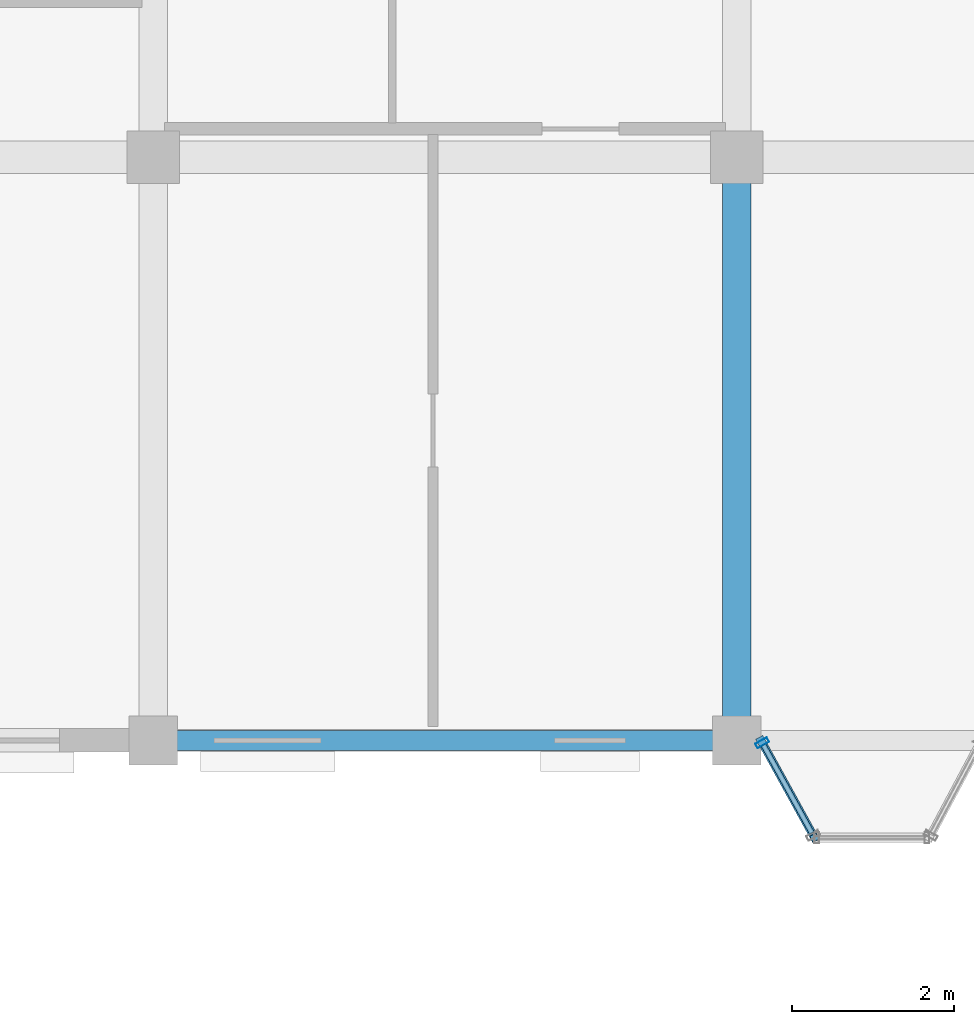
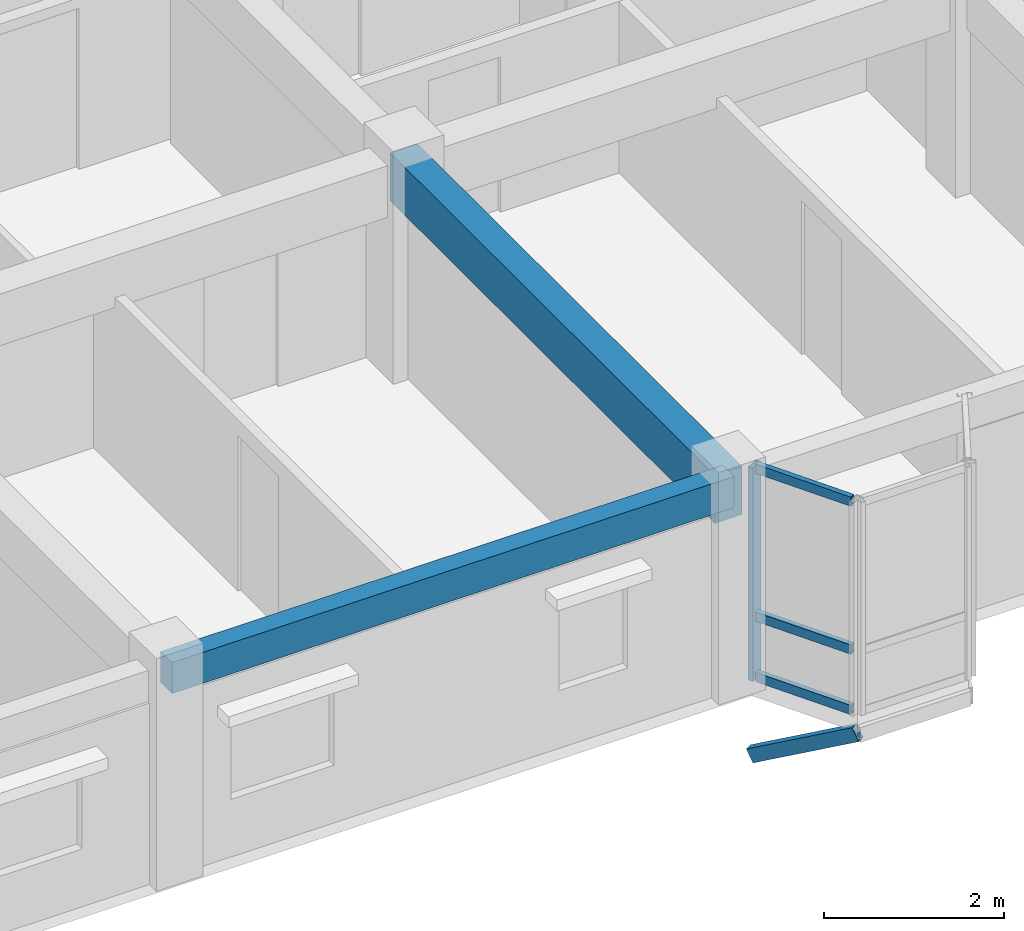
# One storey, part 60 of 124: 5 members, 2 beams, 1 element without a shape of its own.
"""IFC4 building model written with IfcOpenShell, lengths in metres."""

from ifc_helpers import new_model, si_unit, direction, frame, origin, origin_2d, place, context, subcontext, project, spatial, rectangle, hollow_rectangle, extrude, material, layer, layer_set, material_profile, profile_set, type_object, element, aggregate, save


model = new_model("IFC4")

# Units and contexts
model_context = context("Model", 3, precision=1e-05, world=origin(), true_north=direction((0.0, 1.0)))
body_context = subcontext(model_context, "Body", "Model", "MODEL_VIEW")
ifc_project = project(units=[si_unit("LENGTHUNIT", "METRE"), si_unit("AREAUNIT", "SQUARE_METRE"), si_unit("VOLUMEUNIT", "CUBIC_METRE"), si_unit("PLANEANGLEUNIT", "RADIAN"), si_unit("MASSUNIT", "GRAM", prefix="KILO"), si_unit("THERMODYNAMICTEMPERATUREUNIT", "KELVIN"), si_unit("POWERUNIT", "WATT")], contexts=[model_context])

# Site, building, storey
site_placement = place(None, origin())
site = spatial("IfcSite", under=ifc_project, at=site_placement, CompositionType="ELEMENT")
building_placement = place(site_placement, origin())
building = spatial("IfcBuilding", under=site, at=building_placement, Name="Tavuni Mirador Residences", CompositionType="ELEMENT")
storey_placement = place(building_placement, frame((0.0, 0.0, 7.64990234375)))
storey = spatial("IfcBuildingStorey", under=building, at=storey_placement, Name="L02", CompositionType="ELEMENT", Elevation=7.64990234375)

# Beams
ifc_material_1 = material(Name="Precast concrete C40/50", Category="concrete")
ifc_material_profile_1 = material_profile(ifc_material_1, rectangle(XDim=0.35009765625, YDim=0.64990234375, at=origin_2d()), Name="PC 350x650", Category="concrete")
ifc_profile_set_1 = profile_set([ifc_material_profile_1], Name="Precast concrete C40/50")
beam_type_1 = type_object("IfcBeamType", Name="BT-B650", PredefinedType="BEAM", material=ifc_profile_set_1)
beam_1_placement = place(storey_placement, frame((32.39990234375, 144.0, 2.56005859375), z_axis=(0.0, 1.0, 0.0), x_axis=(-1.0, 0.0, 0.0)))
element("IfcBeam", 1, at=beam_1_placement, inside=storey, type_object=beam_type_1, Name="BMY-BLK-C-L02-03-00", PredefinedType="BEAM", context=body_context, shape_type="SweptSolid", body=[
    extrude(rectangle(XDim=0.35009765625, YDim=0.64990234375, at=origin_2d()), origin(), (0.0, 0.0, 1.0), 7.199951171875),
])
ifc_material_profile_2 = material_profile(ifc_material_1, rectangle(XDim=0.25, YDim=0.419921875, at=origin_2d()), Name="PC 250x420", Category="concrete")
ifc_profile_set_2 = profile_set([ifc_material_profile_2], Name="Precast concrete C40/50")
beam_type_2 = type_object("IfcBeamType", Name="BT-SP420", PredefinedType="SPANDREL", material=ifc_profile_set_2)
beam_2_placement = place(storey_placement, frame((25.199951171875, 144.0, 2.675048828125), z_axis=(1.0, 0.0, 0.0), x_axis=(0.0, 1.0, 0.0)))
element("IfcBeam", 2, at=beam_2_placement, inside=storey, type_object=beam_type_2, Name="BMX-BLK-C-L02-02-00", PredefinedType="SPANDREL", context=body_context, shape_type="SweptSolid", body=[
    extrude(rectangle(XDim=0.25, YDim=0.419921875, at=origin_2d()), origin(), (0.0, 0.0, 1.0), 7.199951171875),
])

# Curtain wall, members
ifc_material_2 = material(Name="Anodised aluminium", Category="aluminium")
ifc_layer = layer(ifc_material_2, 0.159912109375, Name="Anodised aluminium", Category="aluminium")
ifc_layer_set = layer_set([ifc_layer], Name="Anodised aluminium")
curtain_wall_type = type_object("IfcCurtainWallType", Name="CWT-MIR-D", PredefinedType="NOTDEFINED", material=ifc_layer_set)
curtain_wall_placement = place(storey_placement, origin())
curtain_wall = element("IfcCurtainWall", 3, at=curtain_wall_placement, inside=storey, type_object=curtain_wall_type, Name="CW-MIR-C-S2-L02-M1", PredefinedType="NOTDEFINED")
ifc_material_profile_3 = material_profile(ifc_material_2, hollow_rectangle(XDim=0.06494140625, YDim=0.1650390625, WallThickness=0.00439453125, at=origin_2d()), Name="ALU 65x165x4.5", Category="aluminium")
ifc_profile_set_3 = profile_set([ifc_material_profile_3], Name="Anodised aluminium")
member_type_1 = type_object("IfcMemberType", Name="CWM-165", PredefinedType="MULLION", material=ifc_profile_set_3)
member_1_placement = place(storey_placement, frame((32.715576171875, 143.971435546875, 0.0), z_axis=(0.0, 0.0, 1.0), x_axis=(0.481918749773, -0.876215908676, 0.0)))
member_1 = element("IfcMember", 4, at=member_1_placement, type_object=member_type_1, Name="CW-04 mullion 1", PredefinedType="MULLION", context=body_context, shape_type="SweptSolid", body=[
    extrude(hollow_rectangle(XDim=0.06494140625, YDim=0.1650390625, WallThickness=0.00439453125, at=origin_2d()), origin(), (0.0, 0.0, 1.0), 2.885009765625),
])
ifc_material_profile_4 = material_profile(ifc_material_2, hollow_rectangle(XDim=0.06494140625, YDim=0.125, WallThickness=0.00439453125, at=origin_2d()), Name="ALU 65x125x4.5", Category="aluminium")
ifc_profile_set_4 = profile_set([ifc_material_profile_4], Name="Anodised aluminium")
member_type_2 = type_object("IfcMemberType", Name="CWT-125", PredefinedType="USERDEFINED", material=ifc_profile_set_4)
member_2_placement = place(storey_placement, frame((32.7314453125, 143.943115234375, 0.03271484375), z_axis=(0.481775083991, -0.876294909517, 0.0), x_axis=(0.876294909517, 0.481775083991, 0.0)))
member_2 = element("IfcMember", 5, at=member_2_placement, type_object=member_type_2, Name="CW-04 transom 1.1", ObjectType="TRANSOM", PredefinedType="USERDEFINED", context=body_context, shape_type="SweptSolid", body=[
    extrude(hollow_rectangle(XDim=0.06494140625, YDim=0.125, WallThickness=0.00439453125, at=origin_2d()), origin(), (0.0, 0.0, 1.0), 1.239501953125),
])
member_3_placement = place(storey_placement, frame((32.7314453125, 143.943115234375, 0.85009765625), z_axis=(0.481775083991, -0.876294909517, 0.0), x_axis=(0.876294909517, 0.481775083991, 0.0)))
member_3 = element("IfcMember", 6, at=member_3_placement, type_object=member_type_2, Name="CW-04 transom 1.2", ObjectType="TRANSOM", PredefinedType="USERDEFINED", context=body_context, shape_type="SweptSolid", body=[
    extrude(hollow_rectangle(XDim=0.06494140625, YDim=0.125, WallThickness=0.00439453125, at=origin_2d()), origin(), (0.0, 0.0, 1.0), 1.239501953125),
])
member_4_placement = place(storey_placement, frame((32.7314453125, 143.943115234375, 2.8525390625), z_axis=(0.481775083991, -0.876294909517, 0.0), x_axis=(0.876294909517, 0.481775083991, 0.0)))
member_4 = element("IfcMember", 7, at=member_4_placement, type_object=member_type_2, Name="CW-04 transom 1.3", ObjectType="TRANSOM", PredefinedType="USERDEFINED", context=body_context, shape_type="SweptSolid", body=[
    extrude(hollow_rectangle(XDim=0.06494140625, YDim=0.125, WallThickness=0.00439453125, at=origin_2d()), origin(), (0.0, 0.0, 1.0), 1.239501953125),
])
aggregate(curtain_wall, [member_1, member_2, member_3, member_4])

# Member
ifc_material_3 = material(Name="Structural steel S355", Category="steel")
ifc_material_profile_5 = material_profile(ifc_material_3, hollow_rectangle(XDim=0.10009765625, YDim=0.179931640625, WallThickness=0.008056640625, at=origin_2d()), Name="RHS 180x100x8.0", Category="steel")
ifc_profile_set_5 = profile_set([ifc_material_profile_5], Name="Structural steel S355")
member_type_3 = type_object("IfcMemberType", Name="MT-BR-RHS180", PredefinedType="BRACE", material=ifc_profile_set_5)
member_5_placement = place(storey_placement, frame((32.699951171875, 144.0, -1.0498046875), z_axis=(0.418207898195, -0.760167093058, 0.497240529844), x_axis=(0.876159447218, 0.482021392732, 0.0)))
element("IfcMember", 8, at=member_5_placement, inside=storey, type_object=member_type_3, Name="MBRK-MIR-C-S2-L02-1", PredefinedType="BRACE", context=body_context, shape_type="SweptSolid", body=[
    extrude(hollow_rectangle(XDim=0.10009765625, YDim=0.179931640625, WallThickness=0.008056640625, at=origin_2d()), origin(), (0.0, 0.0, 1.0), 1.57861328125),
])

save(model, "model.ifc")
